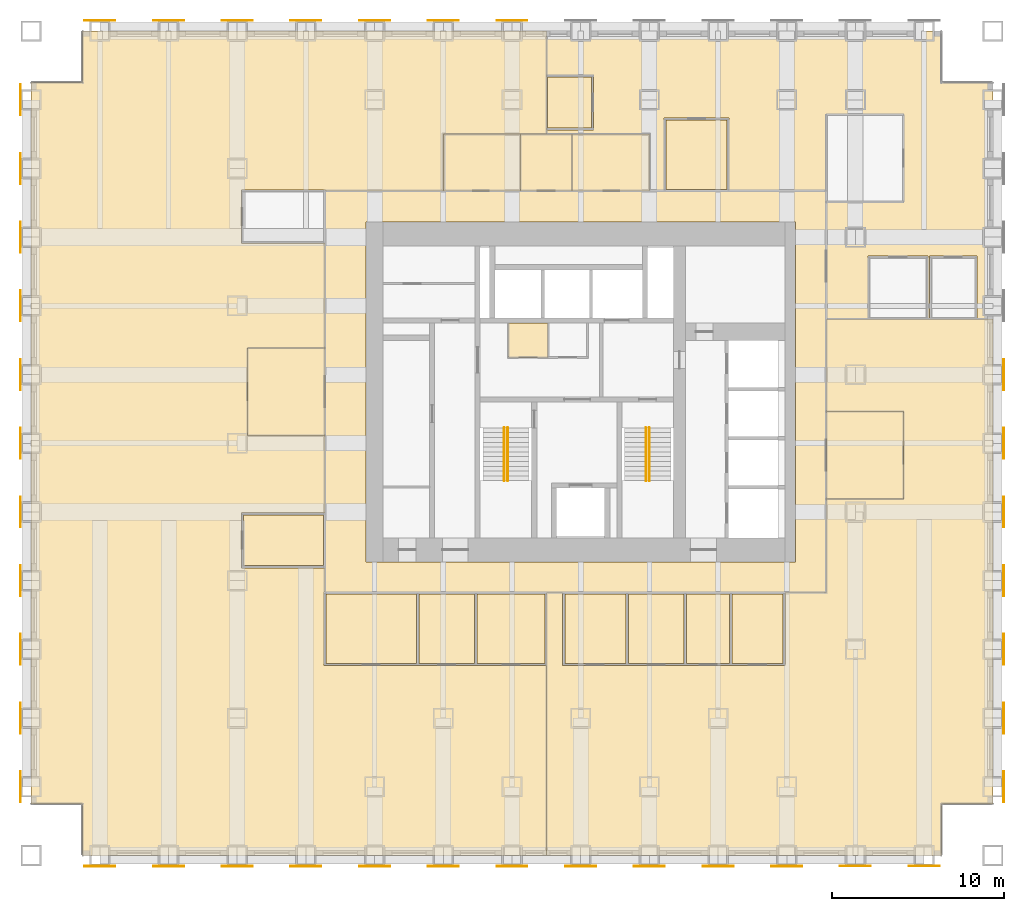
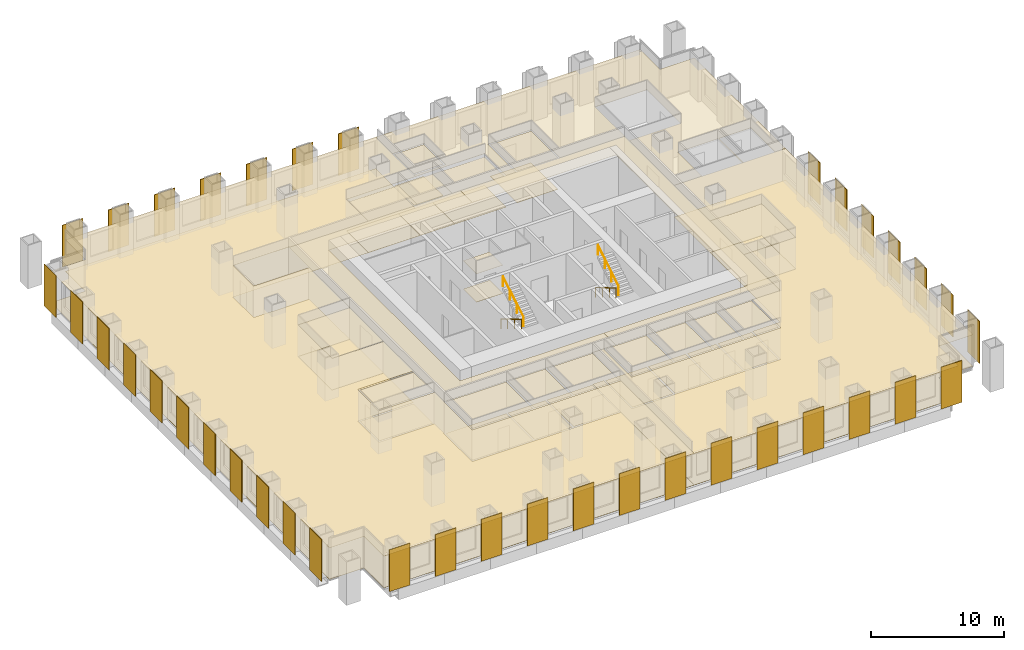
# One storey, part 13 of 14: 39 coverings, 38 shading devices, 4 railings.
"""IFC4 building model written with IfcOpenShell, lengths in metres."""

from ifc_helpers import new_model, si_unit, direction, frame, origin, origin_2d, place, context, subcontext, project, spatial, polyline, rectangle, circle, outline, extrude, material, layer, layer_set, type_object, element, save


model = new_model("IFC4")

# Units and contexts
model_context = context("Model", 3, precision=1e-05, world=origin(), true_north=direction((0.0, 1.0)))
body_context = subcontext(model_context, "Body", "Model", "MODEL_VIEW")
ifc_project = project(units=[si_unit("LENGTHUNIT", "METRE"), si_unit("AREAUNIT", "SQUARE_METRE"), si_unit("VOLUMEUNIT", "CUBIC_METRE"), si_unit("PLANEANGLEUNIT", "RADIAN"), si_unit("MASSUNIT", "GRAM", prefix="KILO")], contexts=[model_context])

# Site, building, storey
site_placement = place(None, origin())
site = spatial("IfcSite", under=ifc_project, at=site_placement, CompositionType="ELEMENT")
building_placement = place(site_placement, origin())
building = spatial("IfcBuilding", under=site, at=building_placement, Name="Rimbunsela Tower", CompositionType="ELEMENT")
storey_placement = place(building_placement, frame((0.0, 0.0, 51.0)))
storey = spatial("IfcBuildingStorey", under=building, at=storey_placement, Name="L12", CompositionType="ELEMENT", Elevation=51.0)

# Coverings
ifc_material_1 = material(Name="Nylon carpet tile", Category="textile")
ifc_layer_1 = layer(ifc_material_1, 0.010009765625)
ifc_layer_set_1 = layer_set([ifc_layer_1], Name="Carpet tile 10")
covering_type_1 = type_object("IfcCoveringType", Name="Carpet tile 10", PredefinedType="FLOORING", material=ifc_layer_set_1)
covering_1_placement = place(storey_placement, origin())
element("IfcCovering", 1, at=covering_1_placement, inside=storey, type_object=covering_type_1, Name="Floor finish Open office", PredefinedType="FLOORING", context=body_context, shape_type="SweptSolid", body=[
    extrude(outline(polyline([(20.550048828125, 11.050048828125), (23.85009765625, 11.050048828125), (23.949951171875, 11.050048828125), (27.9990234375, 11.050048828125), (27.9990234375, 0.0), (15.10009765625, 0.0), (1.0, 0.0), (1.0, 3.0), (-2.0, 3.0), (-2.0, 45.0), (1.0, 45.0), (1.0, 48.0), (15.10009765625, 48.0), (27.9990234375, 48.0), (27.9990234375, 42.0), (22.0, 42.0), (22.0, 38.699951171875), (15.14990234375, 38.699951171875), (15.14990234375, 38.75), (15.10009765625, 38.75), (10.25, 38.75), (10.25, 35.64990234375), (15.10009765625, 35.64990234375), (15.10009765625, 29.550048828125), (10.60009765625, 29.550048828125), (10.60009765625, 24.449951171875), (15.10009765625, 24.449951171875), (15.10009765625, 19.949951171875), (10.25, 19.949951171875), (10.25, 16.75), (15.10009765625, 16.75), (15.10009765625, 15.35009765625), (15.050048828125, 15.35009765625), (15.050048828125, 11.050048828125), (15.10009765625, 11.050048828125), (20.449951171875, 11.050048828125), (20.550048828125, 11.050048828125)])), origin(), (0.0, 0.0, 1.0), 0.010009765625),
])
covering_2_placement = place(storey_placement, origin())
element("IfcCovering", 2, at=covering_2_placement, inside=storey, type_object=covering_type_1, Name="Floor finish Open office", PredefinedType="FLOORING", context=body_context, shape_type="SweptSolid", body=[
    extrude(outline(polyline([(28.0009765625, 15.300048828125), (28.948974609375, 15.300048828125), (28.948974609375, 11.050048828125), (32.64892578125, 11.050048828125), (32.7490234375, 11.050048828125), (36.049072265625, 11.050048828125), (36.14892578125, 11.050048828125), (38.698974609375, 11.050048828125), (38.799072265625, 11.050048828125), (41.89892578125, 11.050048828125), (41.89892578125, 15.300048828125), (44.300048828125, 15.300048828125), (44.300048828125, 20.75), (48.800048828125, 20.75), (48.800048828125, 25.85009765625), (44.300048828125, 25.85009765625), (44.300048828125, 31.2490234375), (54.0, 31.2490234375), (54.0, 3.0), (51.0, 3.0), (51.0, 0.0), (44.300048828125, 0.0), (28.0009765625, 0.0), (28.0009765625, 15.300048828125)])), origin(), (0.0, 0.0, 1.0), 0.010009765625),
])
covering_3_placement = place(storey_placement, origin())
element("IfcCovering", 3, at=covering_3_placement, inside=storey, type_object=covering_type_1, Name="Floor finish Reception", PredefinedType="FLOORING", context=body_context, shape_type="SweptSolid", body=[
    extrude(outline(polyline([(15.10009765625, 24.449951171875), (15.10009765625, 29.550048828125), (10.60009765625, 29.550048828125), (10.60009765625, 24.449951171875), (15.10009765625, 24.449951171875)])), origin(), (0.0, 0.0, 1.0), 0.010009765625),
])
covering_4_placement = place(storey_placement, origin())
element("IfcCovering", 4, at=covering_4_placement, inside=storey, type_object=covering_type_1, Name="Floor finish Reception", PredefinedType="FLOORING", context=body_context, shape_type="SweptSolid", body=[
    extrude(outline(polyline([(48.800048828125, 20.75), (48.800048828125, 25.85009765625), (44.300048828125, 25.85009765625), (44.300048828125, 20.75), (48.800048828125, 20.75)])), origin(), (0.0, 0.0, 1.0), 0.010009765625),
])
covering_5_placement = place(storey_placement, origin())
element("IfcCovering", 5, at=covering_5_placement, inside=storey, type_object=covering_type_1, Name="Floor finish Meeting room", PredefinedType="FLOORING", context=body_context, shape_type="SweptSolid", body=[
    extrude(outline(polyline([(20.425048828125, 11.175048828125), (20.425048828125, 15.22509765625), (15.175048828125, 15.22509765625), (15.175048828125, 11.175048828125), (20.425048828125, 11.175048828125)])), origin(), (0.0, 0.0, 1.0), 0.010009765625),
])
covering_6_placement = place(storey_placement, origin())
element("IfcCovering", 6, at=covering_6_placement, inside=storey, type_object=covering_type_1, Name="Floor finish Pantry", PredefinedType="FLOORING", context=body_context, shape_type="SweptSolid", body=[
    extrude(outline(polyline([(23.824951171875, 11.175048828125), (23.824951171875, 15.22509765625), (20.574951171875, 15.22509765625), (20.574951171875, 11.175048828125), (23.824951171875, 11.175048828125)])), origin(), (0.0, 0.0, 1.0), 0.010009765625),
])
covering_7_placement = place(storey_placement, origin())
element("IfcCovering", 7, at=covering_7_placement, inside=storey, type_object=covering_type_1, Name="Floor finish Print and copy room", PredefinedType="FLOORING", context=body_context, shape_type="SweptSolid", body=[
    extrude(outline(polyline([(27.924072265625, 11.175048828125), (27.924072265625, 15.22509765625), (23.97509765625, 15.22509765625), (23.97509765625, 11.175048828125), (27.924072265625, 11.175048828125)])), origin(), (0.0, 0.0, 1.0), 0.010009765625),
])
covering_8_placement = place(storey_placement, origin())
element("IfcCovering", 8, at=covering_8_placement, inside=storey, type_object=covering_type_1, Name="Floor finish Meeting room", PredefinedType="FLOORING", context=body_context, shape_type="SweptSolid", body=[
    extrude(outline(polyline([(32.6240234375, 11.175048828125), (32.6240234375, 15.22509765625), (29.073974609375, 15.22509765625), (29.073974609375, 11.175048828125), (32.6240234375, 11.175048828125)])), origin(), (0.0, 0.0, 1.0), 0.010009765625),
])
covering_9_placement = place(storey_placement, origin())
element("IfcCovering", 9, at=covering_9_placement, inside=storey, type_object=covering_type_1, Name="Floor finish Pantry", PredefinedType="FLOORING", context=body_context, shape_type="SweptSolid", body=[
    extrude(outline(polyline([(36.02392578125, 11.175048828125), (36.02392578125, 15.22509765625), (32.77392578125, 15.22509765625), (32.77392578125, 11.175048828125), (36.02392578125, 11.175048828125)])), origin(), (0.0, 0.0, 1.0), 0.010009765625),
])
covering_10_placement = place(storey_placement, origin())
element("IfcCovering", 10, at=covering_10_placement, inside=storey, type_object=covering_type_1, Name="Floor finish Print and copy room", PredefinedType="FLOORING", context=body_context, shape_type="SweptSolid", body=[
    extrude(outline(polyline([(38.674072265625, 11.175048828125), (38.674072265625, 15.22509765625), (36.174072265625, 15.22509765625), (36.174072265625, 11.175048828125), (38.674072265625, 11.175048828125)])), origin(), (0.0, 0.0, 1.0), 0.010009765625),
])
covering_11_placement = place(storey_placement, origin())
element("IfcCovering", 11, at=covering_11_placement, inside=storey, type_object=covering_type_1, Name="Floor finish Office", PredefinedType="FLOORING", context=body_context, shape_type="SweptSolid", body=[
    extrude(outline(polyline([(41.77392578125, 11.175048828125), (41.77392578125, 15.22509765625), (38.823974609375, 15.22509765625), (38.823974609375, 11.175048828125), (41.77392578125, 11.175048828125)])), origin(), (0.0, 0.0, 1.0), 0.010009765625),
])
covering_12_placement = place(storey_placement, origin())
element("IfcCovering", 12, at=covering_12_placement, inside=storey, type_object=covering_type_1, Name="Floor finish Office", PredefinedType="FLOORING", context=body_context, shape_type="SweptSolid", body=[
    extrude(outline(polyline([(15.02490234375, 16.875), (15.02490234375, 19.824951171875), (10.375, 19.824951171875), (10.375, 16.875), (15.02490234375, 16.875)])), origin(), (0.0, 0.0, 1.0), 0.010009765625),
])
covering_13_placement = place(storey_placement, origin())
element("IfcCovering", 13, at=covering_13_placement, inside=storey, type_object=covering_type_1, Name="Floor finish Meeting room", PredefinedType="FLOORING", context=body_context, shape_type="SweptSolid", body=[
    extrude(outline(polyline([(38.52490234375, 38.77490234375), (38.52490234375, 42.824951171875), (34.97509765625, 42.824951171875), (34.97509765625, 38.77490234375), (38.52490234375, 38.77490234375)])), origin(), (0.0, 0.0, 1.0), 0.010009765625),
])
covering_14_placement = place(storey_placement, origin())
element("IfcCovering", 14, at=covering_14_placement, inside=storey, type_object=covering_type_1, Name="Floor finish Office", PredefinedType="FLOORING", context=body_context, shape_type="SweptSolid", body=[
    extrude(outline(polyline([(30.625, 42.375), (30.625, 45.324951171875), (28.074951171875, 45.324951171875), (28.074951171875, 42.375), (30.625, 42.375)])), origin(), (0.0, 0.0, 1.0), 0.010009765625),
])
ifc_material_2 = material(Name="Mineral fibre ceiling tile", Category="gypsum")
ifc_layer_2 = layer(ifc_material_2, 0.02001953125)
ifc_layer_set_2 = layer_set([ifc_layer_2], Name="Ceiling 600 grid")
covering_type_2 = type_object("IfcCoveringType", Name="Ceiling 600 grid", PredefinedType="CEILING", material=ifc_layer_set_2)
covering_15_placement = place(storey_placement, frame((0.0, 0.0, 2.89990234375)))
element("IfcCovering", 15, at=covering_15_placement, inside=storey, type_object=covering_type_2, Name="Ceiling Ring corridor", PredefinedType="CEILING", context=body_context, shape_type="SweptSolid", body=[
    extrude(outline(polyline([(15.10009765625, 38.699951171875), (30.0, 38.699951171875), (30.0, 36.89990234375), (17.5, 36.89990234375), (17.5, 17.10009765625), (30.0, 17.10009765625), (30.0, 15.300048828125), (15.10009765625, 15.300048828125), (15.10009765625, 38.699951171875)])), origin(), (0.0, 0.0, 1.0), 0.02001953125),
])
covering_16_placement = place(storey_placement, frame((0.0, 0.0, 2.89990234375)))
element("IfcCovering", 16, at=covering_16_placement, inside=storey, type_object=covering_type_2, Name="Ceiling Ring corridor", PredefinedType="CEILING", context=body_context, shape_type="SweptSolid", body=[
    extrude(outline(polyline([(44.300048828125, 38.699951171875), (44.300048828125, 15.300048828125), (30.0, 15.300048828125), (30.0, 17.10009765625), (42.5, 17.10009765625), (42.5, 36.89990234375), (30.0, 36.89990234375), (30.0, 38.699951171875), (44.300048828125, 38.699951171875)])), origin(), (0.0, 0.0, 1.0), 0.02001953125),
])
covering_17_placement = place(storey_placement, frame((0.0, 0.0, 2.89990234375)))
element("IfcCovering", 17, at=covering_17_placement, inside=storey, type_object=covering_type_2, Name="Ceiling Open office", PredefinedType="CEILING", context=body_context, shape_type="SweptSolid", body=[
    extrude(outline(polyline([(20.550048828125, 11.050048828125), (23.85009765625, 11.050048828125), (23.949951171875, 11.050048828125), (27.9990234375, 11.050048828125), (27.9990234375, 0.0), (15.10009765625, 0.0), (1.0, 0.0), (1.0, 3.0), (-2.0, 3.0), (-2.0, 45.0), (1.0, 45.0), (1.0, 48.0), (15.10009765625, 48.0), (27.9990234375, 48.0), (27.9990234375, 42.0), (22.0, 42.0), (22.0, 38.699951171875), (15.14990234375, 38.699951171875), (15.14990234375, 38.75), (15.10009765625, 38.75), (10.25, 38.75), (10.25, 35.64990234375), (15.10009765625, 35.64990234375), (15.10009765625, 29.550048828125), (10.60009765625, 29.550048828125), (10.60009765625, 24.449951171875), (15.10009765625, 24.449951171875), (15.10009765625, 19.949951171875), (10.25, 19.949951171875), (10.25, 16.75), (15.10009765625, 16.75), (15.10009765625, 15.35009765625), (15.050048828125, 15.35009765625), (15.050048828125, 11.050048828125), (15.10009765625, 11.050048828125), (20.449951171875, 11.050048828125), (20.550048828125, 11.050048828125)])), origin(), (0.0, 0.0, 1.0), 0.02001953125),
])
covering_18_placement = place(storey_placement, frame((0.0, 0.0, 2.89990234375)))
element("IfcCovering", 18, at=covering_18_placement, inside=storey, type_object=covering_type_2, Name="Ceiling Open office", PredefinedType="CEILING", context=body_context, shape_type="SweptSolid", body=[
    extrude(outline(polyline([(28.0009765625, 15.300048828125), (28.948974609375, 15.300048828125), (28.948974609375, 11.050048828125), (32.64892578125, 11.050048828125), (32.7490234375, 11.050048828125), (36.049072265625, 11.050048828125), (36.14892578125, 11.050048828125), (38.698974609375, 11.050048828125), (38.799072265625, 11.050048828125), (41.89892578125, 11.050048828125), (41.89892578125, 15.300048828125), (44.300048828125, 15.300048828125), (44.300048828125, 20.75), (48.800048828125, 20.75), (48.800048828125, 25.85009765625), (44.300048828125, 25.85009765625), (44.300048828125, 31.2490234375), (54.0, 31.2490234375), (54.0, 3.0), (51.0, 3.0), (51.0, 0.0), (44.300048828125, 0.0), (28.0009765625, 0.0), (28.0009765625, 15.300048828125)])), origin(), (0.0, 0.0, 1.0), 0.02001953125),
])
covering_19_placement = place(storey_placement, frame((0.0, 0.0, 2.89990234375)))
element("IfcCovering", 19, at=covering_19_placement, inside=storey, type_object=covering_type_2, Name="Ceiling Open office", PredefinedType="CEILING", context=body_context, shape_type="SweptSolid", body=[
    extrude(outline(polyline([(44.300048828125, 38.699951171875), (38.64990234375, 38.699951171875), (38.64990234375, 42.949951171875), (34.85009765625, 42.949951171875), (34.85009765625, 38.699951171875), (34.0, 38.699951171875), (34.0, 42.0), (28.0009765625, 42.0), (28.0009765625, 42.25), (30.75, 42.25), (30.75, 45.449951171875), (28.0009765625, 45.449951171875), (28.0009765625, 48.0), (44.300048828125, 48.0), (51.0, 48.0), (51.0, 45.0), (54.0, 45.0), (54.0, 31.2509765625), (53.074951171875, 31.2509765625), (53.074951171875, 34.89990234375), (50.324951171875, 34.89990234375), (50.324951171875, 31.2509765625), (50.22509765625, 31.2509765625), (50.22509765625, 34.89990234375), (46.72509765625, 34.89990234375), (46.72509765625, 31.2509765625), (44.300048828125, 31.2509765625), (44.300048828125, 38.050048828125), (48.800048828125, 38.050048828125), (48.800048828125, 43.14990234375), (44.300048828125, 43.14990234375), (44.300048828125, 38.699951171875)])), origin(), (0.0, 0.0, 1.0), 0.02001953125),
])
covering_20_placement = place(storey_placement, frame((0.0, 0.0, 2.89990234375)))
element("IfcCovering", 20, at=covering_20_placement, inside=storey, type_object=covering_type_2, Name="Ceiling Reception", PredefinedType="CEILING", context=body_context, shape_type="SweptSolid", body=[
    extrude(outline(polyline([(15.10009765625, 24.449951171875), (15.10009765625, 29.550048828125), (10.60009765625, 29.550048828125), (10.60009765625, 24.449951171875), (15.10009765625, 24.449951171875)])), origin(), (0.0, 0.0, 1.0), 0.02001953125),
])
covering_21_placement = place(storey_placement, frame((0.0, 0.0, 2.89990234375)))
element("IfcCovering", 21, at=covering_21_placement, inside=storey, type_object=covering_type_2, Name="Ceiling Reception", PredefinedType="CEILING", context=body_context, shape_type="SweptSolid", body=[
    extrude(outline(polyline([(48.800048828125, 20.75), (48.800048828125, 25.85009765625), (44.300048828125, 25.85009765625), (44.300048828125, 20.75), (48.800048828125, 20.75)])), origin(), (0.0, 0.0, 1.0), 0.02001953125),
])
covering_22_placement = place(storey_placement, frame((0.0, 0.0, 2.89990234375)))
element("IfcCovering", 22, at=covering_22_placement, inside=storey, type_object=covering_type_2, Name="Ceiling Meeting room", PredefinedType="CEILING", context=body_context, shape_type="SweptSolid", body=[
    extrude(outline(polyline([(20.425048828125, 11.175048828125), (20.425048828125, 15.22509765625), (15.175048828125, 15.22509765625), (15.175048828125, 11.175048828125), (20.425048828125, 11.175048828125)])), origin(), (0.0, 0.0, 1.0), 0.02001953125),
])
covering_23_placement = place(storey_placement, frame((0.0, 0.0, 2.89990234375)))
element("IfcCovering", 23, at=covering_23_placement, inside=storey, type_object=covering_type_2, Name="Ceiling Pantry", PredefinedType="CEILING", context=body_context, shape_type="SweptSolid", body=[
    extrude(outline(polyline([(23.824951171875, 11.175048828125), (23.824951171875, 15.22509765625), (20.574951171875, 15.22509765625), (20.574951171875, 11.175048828125), (23.824951171875, 11.175048828125)])), origin(), (0.0, 0.0, 1.0), 0.02001953125),
])
covering_24_placement = place(storey_placement, frame((0.0, 0.0, 2.89990234375)))
element("IfcCovering", 24, at=covering_24_placement, inside=storey, type_object=covering_type_2, Name="Ceiling Print and copy room", PredefinedType="CEILING", context=body_context, shape_type="SweptSolid", body=[
    extrude(outline(polyline([(27.924072265625, 11.175048828125), (27.924072265625, 15.22509765625), (23.97509765625, 15.22509765625), (23.97509765625, 11.175048828125), (27.924072265625, 11.175048828125)])), origin(), (0.0, 0.0, 1.0), 0.02001953125),
])
covering_25_placement = place(storey_placement, frame((0.0, 0.0, 2.89990234375)))
element("IfcCovering", 25, at=covering_25_placement, inside=storey, type_object=covering_type_2, Name="Ceiling Meeting room", PredefinedType="CEILING", context=body_context, shape_type="SweptSolid", body=[
    extrude(outline(polyline([(32.6240234375, 11.175048828125), (32.6240234375, 15.22509765625), (29.073974609375, 15.22509765625), (29.073974609375, 11.175048828125), (32.6240234375, 11.175048828125)])), origin(), (0.0, 0.0, 1.0), 0.02001953125),
])
covering_26_placement = place(storey_placement, frame((0.0, 0.0, 2.89990234375)))
element("IfcCovering", 26, at=covering_26_placement, inside=storey, type_object=covering_type_2, Name="Ceiling Pantry", PredefinedType="CEILING", context=body_context, shape_type="SweptSolid", body=[
    extrude(outline(polyline([(36.02392578125, 11.175048828125), (36.02392578125, 15.22509765625), (32.77392578125, 15.22509765625), (32.77392578125, 11.175048828125), (36.02392578125, 11.175048828125)])), origin(), (0.0, 0.0, 1.0), 0.02001953125),
])
covering_27_placement = place(storey_placement, frame((0.0, 0.0, 2.89990234375)))
element("IfcCovering", 27, at=covering_27_placement, inside=storey, type_object=covering_type_2, Name="Ceiling Print and copy room", PredefinedType="CEILING", context=body_context, shape_type="SweptSolid", body=[
    extrude(outline(polyline([(38.674072265625, 11.175048828125), (38.674072265625, 15.22509765625), (36.174072265625, 15.22509765625), (36.174072265625, 11.175048828125), (38.674072265625, 11.175048828125)])), origin(), (0.0, 0.0, 1.0), 0.02001953125),
])
covering_28_placement = place(storey_placement, frame((0.0, 0.0, 2.89990234375)))
element("IfcCovering", 28, at=covering_28_placement, inside=storey, type_object=covering_type_2, Name="Ceiling Office", PredefinedType="CEILING", context=body_context, shape_type="SweptSolid", body=[
    extrude(outline(polyline([(41.77392578125, 11.175048828125), (41.77392578125, 15.22509765625), (38.823974609375, 15.22509765625), (38.823974609375, 11.175048828125), (41.77392578125, 11.175048828125)])), origin(), (0.0, 0.0, 1.0), 0.02001953125),
])
covering_29_placement = place(storey_placement, frame((0.0, 0.0, 2.89990234375)))
element("IfcCovering", 29, at=covering_29_placement, inside=storey, type_object=covering_type_2, Name="Ceiling Office", PredefinedType="CEILING", context=body_context, shape_type="SweptSolid", body=[
    extrude(outline(polyline([(15.02490234375, 16.875), (15.02490234375, 19.824951171875), (10.375, 19.824951171875), (10.375, 16.875), (15.02490234375, 16.875)])), origin(), (0.0, 0.0, 1.0), 0.02001953125),
])
covering_30_placement = place(storey_placement, frame((0.0, 0.0, 2.89990234375)))
element("IfcCovering", 30, at=covering_30_placement, inside=storey, type_object=covering_type_2, Name="Ceiling Meeting room", PredefinedType="CEILING", context=body_context, shape_type="SweptSolid", body=[
    extrude(outline(polyline([(38.52490234375, 38.77490234375), (38.52490234375, 42.824951171875), (34.97509765625, 42.824951171875), (34.97509765625, 38.77490234375), (38.52490234375, 38.77490234375)])), origin(), (0.0, 0.0, 1.0), 0.02001953125),
])
covering_31_placement = place(storey_placement, frame((0.0, 0.0, 2.89990234375)))
element("IfcCovering", 31, at=covering_31_placement, inside=storey, type_object=covering_type_2, Name="Ceiling Office", PredefinedType="CEILING", context=body_context, shape_type="SweptSolid", body=[
    extrude(outline(polyline([(30.625, 42.375), (30.625, 45.324951171875), (28.074951171875, 45.324951171875), (28.074951171875, 42.375), (30.625, 42.375)])), origin(), (0.0, 0.0, 1.0), 0.02001953125),
])
ifc_material_3 = material(Name="Moisture-resistant plasterboard ceiling", Category="gypsum")
ifc_layer_3 = layer(ifc_material_3, 0.012451171875)
ifc_layer_set_3 = layer_set([ifc_layer_3], Name="Ceiling moisture-resistant board")
covering_type_3 = type_object("IfcCoveringType", Name="Ceiling moisture-resistant board", PredefinedType="CEILING", material=ifc_layer_set_3)
covering_32_placement = place(storey_placement, frame((0.0, 0.0, 2.60009765625)))
element("IfcCovering", 32, at=covering_32_placement, inside=storey, type_object=covering_type_3, Name="Ceiling Staff WC", PredefinedType="CEILING", context=body_context, shape_type="SweptSolid", body=[
    extrude(outline(polyline([(28.10009765625, 29.0), (28.10009765625, 31.0), (25.800048828125, 31.0), (25.800048828125, 29.0), (28.10009765625, 29.0)])), origin(), (0.0, 0.0, 1.0), 0.02001953125),
])
covering_33_placement = place(storey_placement, frame((0.0, 0.0, 2.60009765625)))
element("IfcCovering", 33, at=covering_33_placement, inside=storey, type_object=covering_type_3, Name="Ceiling Female WC", PredefinedType="CEILING", context=body_context, shape_type="SweptSolid", body=[
    extrude(outline(polyline([(26.5, 38.699951171875), (26.5, 42.0), (22.0, 42.0), (22.0, 38.699951171875), (26.5, 38.699951171875)])), origin(), (0.0, 0.0, 1.0), 0.02001953125),
])
covering_34_placement = place(storey_placement, frame((0.0, 0.0, 2.60009765625)))
element("IfcCovering", 34, at=covering_34_placement, inside=storey, type_object=covering_type_3, Name="Ceiling Accessible WC", PredefinedType="CEILING", context=body_context, shape_type="SweptSolid", body=[
    extrude(outline(polyline([(29.5, 38.699951171875), (29.5, 42.0), (26.5, 42.0), (26.5, 38.699951171875), (29.5, 38.699951171875)])), origin(), (0.0, 0.0, 1.0), 0.02001953125),
])
covering_35_placement = place(storey_placement, frame((0.0, 0.0, 2.60009765625)))
element("IfcCovering", 35, at=covering_35_placement, inside=storey, type_object=covering_type_3, Name="Ceiling Male WC", PredefinedType="CEILING", context=body_context, shape_type="SweptSolid", body=[
    extrude(outline(polyline([(34.0, 38.699951171875), (34.0, 42.0), (29.5, 42.0), (29.5, 38.699951171875), (34.0, 38.699951171875)])), origin(), (0.0, 0.0, 1.0), 0.02001953125),
])
ifc_material_4 = material(Name="Porcelain floor tile in adhesive bed", Category="ceramic")
ifc_layer_4 = layer(ifc_material_4, 0.02001953125)
ifc_layer_set_4 = layer_set([ifc_layer_4], Name="Porcelain tile 20")
covering_type_4 = type_object("IfcCoveringType", Name="Porcelain tile 20", PredefinedType="FLOORING", material=ifc_layer_set_4)
covering_36_placement = place(storey_placement, origin())
element("IfcCovering", 36, at=covering_36_placement, inside=storey, type_object=covering_type_4, Name="Floor finish Staff WC", PredefinedType="FLOORING", context=body_context, shape_type="SweptSolid", body=[
    extrude(outline(polyline([(28.10009765625, 29.0), (28.10009765625, 31.0), (25.800048828125, 31.0), (25.800048828125, 29.0), (28.10009765625, 29.0)])), origin(), (0.0, 0.0, 1.0), 0.02001953125),
])
covering_37_placement = place(storey_placement, origin())
element("IfcCovering", 37, at=covering_37_placement, inside=storey, type_object=covering_type_4, Name="Floor finish Female WC", PredefinedType="FLOORING", context=body_context, shape_type="SweptSolid", body=[
    extrude(outline(polyline([(26.5, 38.699951171875), (26.5, 42.0), (22.0, 42.0), (22.0, 38.699951171875), (26.5, 38.699951171875)])), origin(), (0.0, 0.0, 1.0), 0.02001953125),
])
covering_38_placement = place(storey_placement, origin())
element("IfcCovering", 38, at=covering_38_placement, inside=storey, type_object=covering_type_4, Name="Floor finish Accessible WC", PredefinedType="FLOORING", context=body_context, shape_type="SweptSolid", body=[
    extrude(outline(polyline([(29.5, 38.699951171875), (29.5, 42.0), (26.5, 42.0), (26.5, 38.699951171875), (29.5, 38.699951171875)])), origin(), (0.0, 0.0, 1.0), 0.02001953125),
])
covering_39_placement = place(storey_placement, origin())
element("IfcCovering", 39, at=covering_39_placement, inside=storey, type_object=covering_type_4, Name="Floor finish Male WC", PredefinedType="FLOORING", context=body_context, shape_type="SweptSolid", body=[
    extrude(outline(polyline([(34.0, 38.699951171875), (34.0, 42.0), (29.5, 42.0), (29.5, 38.699951171875), (34.0, 38.699951171875)])), origin(), (0.0, 0.0, 1.0), 0.02001953125),
])

# Shading devices
ifc_material_5 = material(Name="Perforated aluminium, 35 % open area", Category="aluminium")
ifc_layer_5 = layer(ifc_material_5, 0.050048828125)
ifc_layer_set_5 = layer_set([ifc_layer_5], Name="Solar screen panel 1800")
shading_device_type = type_object("IfcShadingDeviceType", Name="Solar screen panel 1800", PredefinedType="USERDEFINED", material=ifc_layer_set_5)
for number, where, z_axis, x_axis, name in (
    (40, (2.0, -0.625, 0.0), (0.0, 0.0, 1.0), (1.0, 0.0, 0.0), "Solar screen S L12"),
    (41, (6.0, -0.625, 0.0), (0.0, 0.0, 1.0), (1.0, 0.0, 0.0), "Solar screen S L12"),
    (42, (10.0, -0.625, 0.0), (0.0, 0.0, 1.0), (1.0, 0.0, 0.0), "Solar screen S L12"),
    (43, (14.0, -0.625, 0.0), (0.0, 0.0, 1.0), (1.0, 0.0, 0.0), "Solar screen S L12"),
    (44, (18.0, -0.625, 0.0), (0.0, 0.0, 1.0), (1.0, 0.0, 0.0), "Solar screen S L12"),
    (45, (22.0, -0.625, 0.0), (0.0, 0.0, 1.0), (1.0, 0.0, 0.0), "Solar screen S L12"),
    (46, (26.0, -0.625, 0.0), (0.0, 0.0, 1.0), (1.0, 0.0, 0.0), "Solar screen S L12"),
    (47, (30.0, -0.625, 0.0), (0.0, 0.0, 1.0), (1.0, 0.0, 0.0), "Solar screen S L12"),
    (48, (34.0, -0.625, 0.0), (0.0, 0.0, 1.0), (1.0, 0.0, 0.0), "Solar screen S L12"),
    (49, (38.0, -0.625, 0.0), (0.0, 0.0, 1.0), (1.0, 0.0, 0.0), "Solar screen S L12"),
    (50, (42.0, -0.625, 0.0), (0.0, 0.0, 1.0), (1.0, 0.0, 0.0), "Solar screen S L12"),
    (51, (46.0, -0.625, 0.0), (0.0, 0.0, 1.0), (1.0, 0.0, 0.0), "Solar screen S L12"),
    (52, (50.0, -0.625, 0.0), (0.0, 0.0, 1.0), (1.0, 0.0, 0.0), "Solar screen S L12"),
    (53, (54.625, 4.0, 0.0), (0.0, 0.0, 1.0), (0.0, 1.0, 0.0), "Solar screen E L12"),
    (54, (54.625, 8.0, 0.0), (0.0, 0.0, 1.0), (0.0, 1.0, 0.0), "Solar screen E L12"),
    (55, (54.625, 12.0, 0.0), (0.0, 0.0, 1.0), (0.0, 1.0, 0.0), "Solar screen E L12"),
    (56, (54.625, 16.0, 0.0), (0.0, 0.0, 1.0), (0.0, 1.0, 0.0), "Solar screen E L12"),
    (57, (54.625, 20.0, 0.0), (0.0, 0.0, 1.0), (0.0, 1.0, 0.0), "Solar screen E L12"),
    (58, (54.625, 24.0, 0.0), (0.0, 0.0, 1.0), (0.0, 1.0, 0.0), "Solar screen E L12"),
    (59, (54.625, 28.0, 0.0), (0.0, 0.0, 1.0), (0.0, 1.0, 0.0), "Solar screen E L12"),
    (60, (2.0, 48.625, 0.0), (0.0, 0.0, 1.0), (1.0, 0.0, 0.0), "Solar screen N L12"),
    (61, (6.0, 48.625, 0.0), (0.0, 0.0, 1.0), (1.0, 0.0, 0.0), "Solar screen N L12"),
    (62, (10.0, 48.625, 0.0), (0.0, 0.0, 1.0), (1.0, 0.0, 0.0), "Solar screen N L12"),
    (63, (14.0, 48.625, 0.0), (0.0, 0.0, 1.0), (1.0, 0.0, 0.0), "Solar screen N L12"),
    (64, (18.0, 48.625, 0.0), (0.0, 0.0, 1.0), (1.0, 0.0, 0.0), "Solar screen N L12"),
    (65, (22.0, 48.625, 0.0), (0.0, 0.0, 1.0), (1.0, 0.0, 0.0), "Solar screen N L12"),
    (66, (26.0, 48.625, 0.0), (0.0, 0.0, 1.0), (1.0, 0.0, 0.0), "Solar screen N L12"),
    (67, (-2.625, 4.0, 0.0), (0.0, 0.0, 1.0), (0.0, 1.0, 0.0), "Solar screen W L12"),
    (68, (-2.625, 8.0, 0.0), (0.0, 0.0, 1.0), (0.0, 1.0, 0.0), "Solar screen W L12"),
    (69, (-2.625, 12.0, 0.0), (0.0, 0.0, 1.0), (0.0, 1.0, 0.0), "Solar screen W L12"),
    (70, (-2.625, 16.0, 0.0), (0.0, 0.0, 1.0), (0.0, 1.0, 0.0), "Solar screen W L12"),
    (71, (-2.625, 20.0, 0.0), (0.0, 0.0, 1.0), (0.0, 1.0, 0.0), "Solar screen W L12"),
    (72, (-2.625, 24.0, 0.0), (0.0, 0.0, 1.0), (0.0, 1.0, 0.0), "Solar screen W L12"),
    (73, (-2.625, 28.0, 0.0), (0.0, 0.0, 1.0), (0.0, 1.0, 0.0), "Solar screen W L12"),
    (74, (-2.625, 32.0, 0.0), (0.0, 0.0, 1.0), (0.0, 1.0, 0.0), "Solar screen W L12"),
    (75, (-2.625, 36.0, 0.0), (0.0, 0.0, 1.0), (0.0, 1.0, 0.0), "Solar screen W L12"),
    (76, (-2.625, 40.0, 0.0), (0.0, 0.0, 1.0), (0.0, 1.0, 0.0), "Solar screen W L12"),
    (77, (-2.625, 44.0, 0.0), (0.0, 0.0, 1.0), (0.0, 1.0, 0.0), "Solar screen W L12"),
):
    element("IfcShadingDevice", number, at=place(storey_placement, frame(where, z_axis=z_axis, x_axis=x_axis)), inside=storey, type_object=shading_device_type, Name=name, ObjectType="SCREEN", PredefinedType="USERDEFINED", context=body_context, shape_type="SweptSolid", body=[
        extrude(rectangle(XDim=1.800048828125, YDim=0.050048828125, at=origin_2d()), origin(), (0.0, 0.0, 1.0), 3.85009765625),
    ])

# Railings
ifc_material_6 = material(Name="Stainless steel tube", Category="steel")
railing_type = type_object("IfcRailingType", Name="Stair handrail 900", PredefinedType="HANDRAIL", material=ifc_material_6)
railing_1_placement = place(storey_placement, frame((25.550048828125, 24.89990234375, 0.166748046875)))
element("IfcRailing", 78, at=railing_1_placement, inside=storey, type_object=railing_type, Name="Handrail ST-A flight 1", PredefinedType="HANDRAIL", context=body_context, shape_type="SweptSolid", body=[
    extrude(circle(Radius=0.02392578125, at=origin_2d()), frame((0.0, 0.0, 0.8759765625), z_axis=(0.0, -0.859290745958, 0.51148745235), x_axis=(1.0, 0.0, 0.0)), (0.0, 0.0, 1.0), 3.584228515625),
    extrude(circle(Radius=0.02099609375, at=origin_2d()), origin(), (0.0, 0.0, 1.0), 0.851806640625),
    extrude(circle(Radius=0.02099609375, at=origin_2d()), frame((0.0, -1.026611328125, 0.611083984375)), (0.0, 0.0, 1.0), 0.851806640625),
    extrude(circle(Radius=0.02099609375, at=origin_2d()), frame((0.0, -2.05322265625, 1.22216796875)), (0.0, 0.0, 1.0), 0.851806640625),
    extrude(circle(Radius=0.02099609375, at=origin_2d()), frame((0.0, -3.079833984375, 1.833251953125)), (0.0, 0.0, 1.0), 0.851806640625),
])
railing_2_placement = place(storey_placement, frame((25.75, 21.820068359375, 2.166748046875)))
element("IfcRailing", 79, at=railing_2_placement, inside=storey, type_object=railing_type, Name="Handrail ST-A flight 2", PredefinedType="HANDRAIL", context=body_context, shape_type="SweptSolid", body=[
    extrude(circle(Radius=0.02392578125, at=origin_2d()), frame((0.0, 0.0, 0.8759765625), z_axis=(0.0, 0.859290745958, 0.51148745235), x_axis=(-1.0, 0.0, 0.0)), (0.0, 0.0, 1.0), 3.584228515625),
    extrude(circle(Radius=0.02099609375, at=origin_2d()), origin(), (0.0, 0.0, 1.0), 0.851806640625),
    extrude(circle(Radius=0.02099609375, at=origin_2d()), frame((0.0, 1.026611328125, 0.611083984375)), (0.0, 0.0, 1.0), 0.851806640625),
    extrude(circle(Radius=0.02099609375, at=origin_2d()), frame((0.0, 2.05322265625, 1.22216796875)), (0.0, 0.0, 1.0), 0.851806640625),
    extrude(circle(Radius=0.02099609375, at=origin_2d()), frame((0.0, 3.079833984375, 1.833251953125)), (0.0, 0.0, 1.0), 0.851806640625),
])
railing_3_placement = place(storey_placement, frame((33.800048828125, 24.89990234375, 0.166748046875)))
element("IfcRailing", 80, at=railing_3_placement, inside=storey, type_object=railing_type, Name="Handrail ST-B flight 1", PredefinedType="HANDRAIL", context=body_context, shape_type="SweptSolid", body=[
    extrude(circle(Radius=0.02392578125, at=origin_2d()), frame((0.0, 0.0, 0.8759765625), z_axis=(0.0, -0.859290745958, 0.51148745235), x_axis=(1.0, 0.0, 0.0)), (0.0, 0.0, 1.0), 3.584228515625),
    extrude(circle(Radius=0.02099609375, at=origin_2d()), origin(), (0.0, 0.0, 1.0), 0.851806640625),
    extrude(circle(Radius=0.02099609375, at=origin_2d()), frame((0.0, -1.026611328125, 0.611083984375)), (0.0, 0.0, 1.0), 0.851806640625),
    extrude(circle(Radius=0.02099609375, at=origin_2d()), frame((0.0, -2.05322265625, 1.22216796875)), (0.0, 0.0, 1.0), 0.851806640625),
    extrude(circle(Radius=0.02099609375, at=origin_2d()), frame((0.0, -3.079833984375, 1.833251953125)), (0.0, 0.0, 1.0), 0.851806640625),
])
railing_4_placement = place(storey_placement, frame((34.0, 21.820068359375, 2.166748046875)))
element("IfcRailing", 81, at=railing_4_placement, inside=storey, type_object=railing_type, Name="Handrail ST-B flight 2", PredefinedType="HANDRAIL", context=body_context, shape_type="SweptSolid", body=[
    extrude(circle(Radius=0.02392578125, at=origin_2d()), frame((0.0, 0.0, 0.8759765625), z_axis=(0.0, 0.859290745958, 0.51148745235), x_axis=(-1.0, 0.0, 0.0)), (0.0, 0.0, 1.0), 3.584228515625),
    extrude(circle(Radius=0.02099609375, at=origin_2d()), origin(), (0.0, 0.0, 1.0), 0.851806640625),
    extrude(circle(Radius=0.02099609375, at=origin_2d()), frame((0.0, 1.026611328125, 0.611083984375)), (0.0, 0.0, 1.0), 0.851806640625),
    extrude(circle(Radius=0.02099609375, at=origin_2d()), frame((0.0, 2.05322265625, 1.22216796875)), (0.0, 0.0, 1.0), 0.851806640625),
    extrude(circle(Radius=0.02099609375, at=origin_2d()), frame((0.0, 3.079833984375, 1.833251953125)), (0.0, 0.0, 1.0), 0.851806640625),
])

save(model, "model.ifc")
